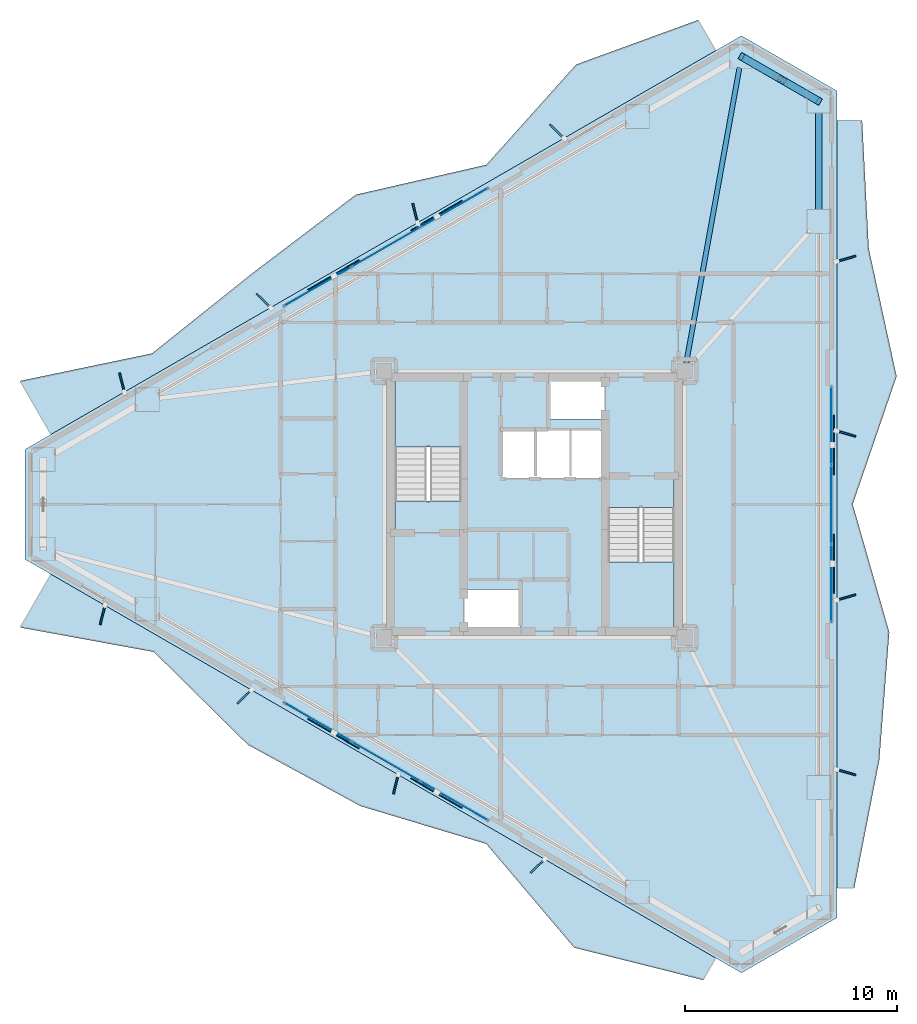
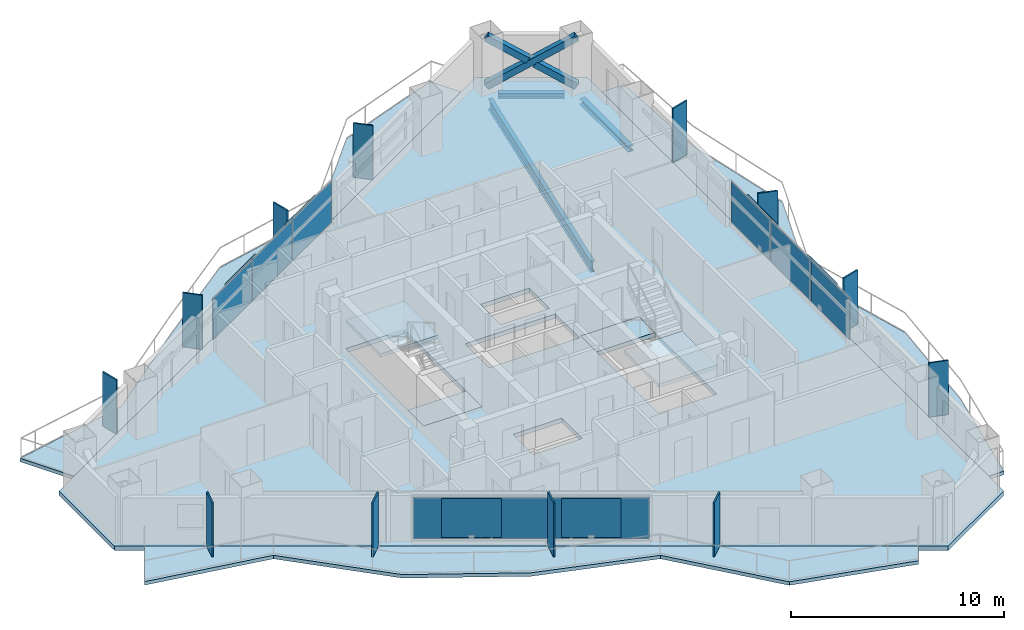
# One storey, part 14 of 23: 27 plates, 8 slabs, 3 beams, 3 members, 5 elements without a shape of their own.
"""IFC4 building model written with IfcOpenShell, lengths in metres."""

from ifc_helpers import new_model, si_unit, direction, frame, origin, origin_2d, place, context, subcontext, project, spatial, polyline, rectangle, hollow_rectangle, i_section, outline, extrude, material, layer, layer_set, material_profile, profile_set, type_object, element, aggregate, save


model = new_model("IFC4")

# Units and contexts
model_context = context("Model", 3, precision=1e-05, world=origin(), true_north=direction((0.0, 1.0)))
body_context = subcontext(model_context, "Body", "Model", "MODEL_VIEW")
ifc_project = project(units=[si_unit("LENGTHUNIT", "METRE"), si_unit("AREAUNIT", "SQUARE_METRE"), si_unit("VOLUMEUNIT", "CUBIC_METRE"), si_unit("PLANEANGLEUNIT", "RADIAN"), si_unit("MASSUNIT", "GRAM", prefix="KILO")], contexts=[model_context])

# Site, building, storey
site_placement = place(None, origin())
site = spatial("IfcSite", under=ifc_project, at=site_placement, CompositionType="ELEMENT")
building_placement = place(site_placement, origin())
building = spatial("IfcBuilding", under=site, at=building_placement, Name="Mersakhor Tower and Convention Hall", CompositionType="ELEMENT")
storey_placement = place(building_placement, frame((0.0, 0.0, 96.60009765625)))
storey = spatial("IfcBuildingStorey", under=building, at=storey_placement, Name="L26", CompositionType="ELEMENT", Elevation=96.60009765625)

# Beams
ifc_material_1 = material(Name="Steel S355", Category="steel")
ifc_material_profile_1 = material_profile(ifc_material_1, i_section(OverallWidth=0.22900390625, OverallDepth=0.6123046875, WebThickness=0.011962890625, FlangeThickness=0.01953125, at=origin_2d()), Name="UB 610x229x125")
ifc_profile_set_1 = profile_set([ifc_material_profile_1], Name="Steel S355")
beam_type_1 = type_object("IfcBeamType", Name="BM-PR-610", PredefinedType="BEAM", material=ifc_profile_set_1)
beam_1_placement = place(storey_placement, frame((36.1630859375, 33.3994140625, -0.55615234375), z_axis=(0.177407335198, 0.984137509405, 0.0), x_axis=(-0.984137509405, 0.177407335198, 0.0)))
element("IfcBeam", 1, at=beam_1_placement, inside=storey, type_object=beam_type_1, Name="L26 Primary Floor Girder FG-2", PredefinedType="BEAM", context=body_context, shape_type="SweptSolid", body=[
    extrude(i_section(OverallWidth=0.22900390625, OverallDepth=0.6123046875, WebThickness=0.011962890625, FlangeThickness=0.01953125, at=origin_2d()), origin(), (0.0, 0.0, 1.0), 14.188232421875),
])
ifc_material_2 = material(Name="Steel S355", Category="steel")
ifc_material_profile_2 = material_profile(ifc_material_2, i_section(OverallWidth=0.30908203125, OverallDepth=0.320556640625, WebThickness=0.013916015625, FlangeThickness=0.021728515625, at=origin_2d()), Name="UC 305x305x137")
ifc_profile_set_2 = profile_set([ifc_material_profile_2], Name="Steel S355")
beam_type_2 = type_object("IfcBeamType", Name="BM-SPD-UC305", PredefinedType="SPANDREL", material=ifc_profile_set_2)
beam_2_placement = place(storey_placement, frame((39.25927734375, 47.631103515625, -0.410400390625), z_axis=(0.866052319632, -0.499953377486, 0.0), x_axis=(0.499953377486, 0.866052319632, 0.0)))
element("IfcBeam", 2, at=beam_2_placement, inside=storey, type_object=beam_type_2, Name="L26 Perimeter Spandrel Beam SPB-04", PredefinedType="SPANDREL", context=body_context, shape_type="SweptSolid", body=[
    extrude(i_section(OverallWidth=0.30908203125, OverallDepth=0.320556640625, WebThickness=0.013916015625, FlangeThickness=0.021728515625, at=origin_2d()), origin(), (0.0, 0.0, 1.0), 3.111572265625),
])
beam_3_placement = place(storey_placement, frame((42.4345703125, 45.242919921875, -0.410400390625), z_axis=(0.0, -1.0, 0.0), x_axis=(1.0, 0.0, 0.0)))
element("IfcBeam", 3, at=beam_3_placement, inside=storey, type_object=beam_type_2, Name="L26 Perimeter Spandrel Beam SPB-05", PredefinedType="SPANDREL", context=body_context, shape_type="SweptSolid", body=[
    extrude(i_section(OverallWidth=0.30908203125, OverallDepth=0.320556640625, WebThickness=0.013916015625, FlangeThickness=0.021728515625, at=origin_2d()), origin(), (0.0, 0.0, 1.0), 4.566162109375),
])

# Members
ifc_material_3 = material(Name="Steel S460", Category="steel")
ifc_material_profile_3 = material_profile(ifc_material_3, hollow_rectangle(XDim=0.35009765625, YDim=0.35009765625, WallThickness=0.02001953125, at=origin_2d()), Name="SHS 350x350x20")
ifc_profile_set_3 = profile_set([ifc_material_profile_3], Name="Steel S460")
member_type = type_object("IfcMemberType", Name="MB-BRC-SHS350", PredefinedType="BRACE", material=ifc_profile_set_3)
member_placement = place(storey_placement, frame((38.77880859375, 47.90869140625, 0.14990234375), z_axis=(0.725633725484, -0.418933054415, 0.545848689986), x_axis=(0.49998946241, 0.866031487579, 0.0)))
element("IfcMember", 4, at=member_placement, inside=storey, type_object=member_type, Name="L26 Chamfer Braced Frame Diagonal CB-1A", PredefinedType="BRACE", context=body_context, shape_type="SweptSolid", body=[
    extrude(hollow_rectangle(XDim=0.35009765625, YDim=0.35009765625, WallThickness=0.02001953125, at=origin_2d()), origin(), (0.0, 0.0, 1.0), 5.0380859375),
])
for number, where, z_axis, x_axis, name in (
    (5, (42.4345703125, 45.798095703125, 0.14990234375), (-0.725684866011, 0.418886985747, 0.545816057307), (-0.499921796684, -0.866070549782, 0.0), "L26 Chamfer Braced Frame Diagonal CB-1B Lower Half"),
    (6, (40.4619140625, 46.93701171875, 1.6337890625), (-0.725635037856, 0.418918980369, 0.545857746783), (-0.499976186015, -0.866039152359, 0.0), "L26 Chamfer Braced Frame Diagonal CB-1B Upper Half"),
):
    element("IfcMember", number, at=place(storey_placement, frame(where, z_axis=z_axis, x_axis=x_axis)), inside=storey, type_object=member_type, Name=name, PredefinedType="BRACE", context=body_context, shape_type="SweptSolid", body=[
        extrude(hollow_rectangle(XDim=0.35009765625, YDim=0.35009765625, WallThickness=0.02001953125, at=origin_2d()), origin(), (0.0, 0.0, 1.0), 2.319580078125),
    ])

# Curtain wall, plates
ifc_material_4 = material(Name="Dark solar low-E aluminium curtain wall", Category="aluminium")
ifc_layer_1 = layer(ifc_material_4, 0.159912109375)
ifc_layer_set_1 = layer_set([ifc_layer_1], Name="Dark solar low-E aluminium curtain wall")
curtain_wall_type = type_object("IfcCurtainWallType", Name="CW-SYS-01", PredefinedType="USERDEFINED", material=ifc_layer_set_1)
curtain_wall_1_placement = place(storey_placement, origin())
curtain_wall_1 = element("IfcCurtainWall", 7, at=curtain_wall_1_placement, inside=storey, type_object=curtain_wall_type, Name="L26 Dark-Glass Curtain Wall F1-B2", ObjectType="CURTAIN WALL", PredefinedType="USERDEFINED")
ifc_material_5 = material(Name="Dark solar double glazing", Category="glass")
ifc_layer_2 = layer(ifc_material_5, 0.02392578125)
ifc_layer_set_2 = layer_set([ifc_layer_2], Name="Dark solar double glazing")
plate_type_1 = type_object("IfcPlateType", Name="CWP-GLZ-24", PredefinedType="CURTAIN_PANEL", material=ifc_layer_set_2)
plate_1_placement = place(storey_placement, frame((18.75732421875, 37.042236328125, 0.259765625), z_axis=(0.0, 0.0, 1.0), x_axis=(0.866026613339, 0.499997904985, 0.0)))
plate_1 = element("IfcPlate", 8, at=plate_1_placement, type_object=plate_type_1, Name="CW-01 panel 1.1", PredefinedType="CURTAIN_PANEL", context=body_context, shape_type="SweptSolid", body=[
    extrude(rectangle(XDim=3.630615234375, YDim=0.02392578125, at=origin_2d()), origin(), (0.0, 0.0, 1.0), 2.35009765625),
])
plate_2_placement = place(storey_placement, frame((21.982666015625, 38.904296875, 0.259765625), z_axis=(0.0, 0.0, 1.0), x_axis=(0.866026613339, 0.499997904985, 0.0)))
plate_2 = element("IfcPlate", 9, at=plate_2_placement, type_object=plate_type_1, Name="CW-01 panel 2.1", PredefinedType="CURTAIN_PANEL", context=body_context, shape_type="SweptSolid", body=[
    extrude(rectangle(XDim=3.668212890625, YDim=0.02392578125, at=origin_2d()), origin(), (0.0, 0.0, 1.0), 2.35009765625),
])
plate_3_placement = place(storey_placement, frame((25.2080078125, 40.7666015625, 0.259765625), z_axis=(0.0, 0.0, 1.0), x_axis=(0.866026613339, 0.499997904985, 0.0)))
plate_3 = element("IfcPlate", 10, at=plate_3_placement, type_object=plate_type_1, Name="CW-01 panel 3.1", PredefinedType="CURTAIN_PANEL", context=body_context, shape_type="SweptSolid", body=[
    extrude(rectangle(XDim=3.630615234375, YDim=0.02392578125, at=origin_2d()), origin(), (0.0, 0.0, 1.0), 2.35009765625),
])
aggregate(curtain_wall_1, [plate_1, plate_2, plate_3])

curtain_wall_2_placement = place(storey_placement, origin())
curtain_wall_2 = element("IfcCurtainWall", 11, at=curtain_wall_2_placement, inside=storey, type_object=curtain_wall_type, Name="L26 Dark-Glass Curtain Wall F2-B2", ObjectType="CURTAIN WALL", PredefinedType="USERDEFINED")
plate_4_placement = place(storey_placement, frame((43.03466796875, 30.474365234375, 0.259765625), z_axis=(0.0, 0.0, 1.0), x_axis=(0.0, -1.0, 0.0)))
plate_4 = element("IfcPlate", 12, at=plate_4_placement, type_object=plate_type_1, Name="CW-01 panel 1.1", PredefinedType="CURTAIN_PANEL", context=body_context, shape_type="SweptSolid", body=[
    extrude(rectangle(XDim=3.630615234375, YDim=0.02392578125, at=origin_2d()), origin(), (0.0, 0.0, 1.0), 2.35009765625),
])
plate_5_placement = place(storey_placement, frame((43.03466796875, 26.75, 0.259765625), z_axis=(0.0, 0.0, 1.0), x_axis=(0.0, -1.0, 0.0)))
plate_5 = element("IfcPlate", 13, at=plate_5_placement, type_object=plate_type_1, Name="CW-01 panel 2.1", PredefinedType="CURTAIN_PANEL", context=body_context, shape_type="SweptSolid", body=[
    extrude(rectangle(XDim=3.668212890625, YDim=0.02392578125, at=origin_2d()), origin(), (0.0, 0.0, 1.0), 2.35009765625),
])
plate_6_placement = place(storey_placement, frame((43.03466796875, 23.025634765625, 0.259765625), z_axis=(0.0, 0.0, 1.0), x_axis=(0.0, -1.0, 0.0)))
plate_6 = element("IfcPlate", 14, at=plate_6_placement, type_object=plate_type_1, Name="CW-01 panel 3.1", PredefinedType="CURTAIN_PANEL", context=body_context, shape_type="SweptSolid", body=[
    extrude(rectangle(XDim=3.630615234375, YDim=0.02392578125, at=origin_2d()), origin(), (0.0, 0.0, 1.0), 2.35009765625),
])
aggregate(curtain_wall_2, [plate_4, plate_5, plate_6])

curtain_wall_3_placement = place(storey_placement, origin())
curtain_wall_3 = element("IfcCurtainWall", 15, at=curtain_wall_3_placement, inside=storey, type_object=curtain_wall_type, Name="L26 Dark-Glass Curtain Wall F3-B2", ObjectType="CURTAIN WALL", PredefinedType="USERDEFINED")
plate_7_placement = place(storey_placement, frame((25.2080078125, 12.7333984375, 0.259765625), z_axis=(0.0, 0.0, 1.0), x_axis=(-0.866026613339, 0.499997904985, 0.0)))
plate_7 = element("IfcPlate", 16, at=plate_7_placement, type_object=plate_type_1, Name="CW-01 panel 1.1", PredefinedType="CURTAIN_PANEL", context=body_context, shape_type="SweptSolid", body=[
    extrude(rectangle(XDim=3.630615234375, YDim=0.02392578125, at=origin_2d()), origin(), (0.0, 0.0, 1.0), 2.35009765625),
])
plate_8_placement = place(storey_placement, frame((21.982666015625, 14.595703125, 0.259765625), z_axis=(0.0, 0.0, 1.0), x_axis=(-0.866026613339, 0.499997904985, 0.0)))
plate_8 = element("IfcPlate", 17, at=plate_8_placement, type_object=plate_type_1, Name="CW-01 panel 2.1", PredefinedType="CURTAIN_PANEL", context=body_context, shape_type="SweptSolid", body=[
    extrude(rectangle(XDim=3.668212890625, YDim=0.02392578125, at=origin_2d()), origin(), (0.0, 0.0, 1.0), 2.35009765625),
])
plate_9_placement = place(storey_placement, frame((18.75732421875, 16.457763671875, 0.259765625), z_axis=(0.0, 0.0, 1.0), x_axis=(-0.866026613339, 0.499997904985, 0.0)))
plate_9 = element("IfcPlate", 18, at=plate_9_placement, type_object=plate_type_1, Name="CW-01 panel 3.1", PredefinedType="CURTAIN_PANEL", context=body_context, shape_type="SweptSolid", body=[
    extrude(rectangle(XDim=3.630615234375, YDim=0.02392578125, at=origin_2d()), origin(), (0.0, 0.0, 1.0), 2.35009765625),
])
aggregate(curtain_wall_3, [plate_7, plate_8, plate_9])

# Plates
ifc_material_6 = material(Name="Ceramic-clad aluminium Zone 2 emerald-teal", Category="aluminium")
ifc_material_7 = material(Name="Ceramic-clad aluminium Zone 1 cobalt-slate", Category="masonry")
ifc_layer_3 = layer(ifc_material_7, 0.080078125)
ifc_layer_set_3 = layer_set([ifc_layer_3], Name="Ceramic-clad aluminium Zone 1 cobalt-slate")
plate_type_2 = type_object("IfcPlateType", Name="PL-FIN-80", PredefinedType="USERDEFINED", material=ifc_layer_set_3)
for number, where, z_axis, x_axis, name in (
    (19, (9.50830078125, 32.4951171875, -0.000244140625), (0.0, 0.0, 1.0), (-0.2419218956, 0.970295726276, 0.0), "L26 Zone 2 Coloured Brise-Soleil Fin F1-1"),
    (20, (16.209716796875, 36.364013671875, -0.000244140625), (0.0, 0.0, 1.0), (-0.719339800339, 0.694658370459, 0.0), "L26 Zone 2 Coloured Brise-Soleil Fin F1-2"),
    (21, (23.36474609375, 40.4951171875, -0.000244140625), (0.0, 0.0, 1.0), (-0.2419218956, 0.970295726276, 0.0), "L26 Zone 2 Coloured Brise-Soleil Fin F1-3"),
    (22, (30.066162109375, 44.364013671875, -0.000244140625), (0.0, 0.0, 1.0), (-0.719339800339, 0.694658370459, 0.0), "L26 Zone 2 Coloured Brise-Soleil Fin F1-4"),
    (23, (43.72119140625, 38.35302734375, -0.000244140625), (0.0, 0.0, 1.0), (0.961261695938, 0.275637355817, 0.0), "L26 Zone 2 Coloured Brise-Soleil Fin F2-1"),
    (24, (43.72119140625, 30.091064453125, -0.000244140625), (0.0, 0.0, 1.0), (0.961261695938, -0.275637355817, 0.0), "L26 Zone 2 Coloured Brise-Soleil Fin F2-2"),
    (25, (43.72119140625, 22.35302734375, -0.000244140625), (0.0, 0.0, 1.0), (0.961261695938, 0.275637355817, 0.0), "L26 Zone 2 Coloured Brise-Soleil Fin F2-3"),
    (26, (43.72119140625, 14.091064453125, -0.000244140625), (0.0, 0.0, 1.0), (0.961261695938, -0.275637355817, 0.0), "L26 Zone 2 Coloured Brise-Soleil Fin F2-4"),
    (27, (29.151611328125, 9.663818359375, -0.000244140625), (0.0, 0.0, 1.0), (-0.719339800339, -0.694658370459, 0.0), "L26 Zone 2 Coloured Brise-Soleil Fin F3-1"),
    (28, (22.4501953125, 13.532958984375, -0.000244140625), (0.0, 0.0, 1.0), (-0.2419218956, -0.970295726276, 0.0), "L26 Zone 2 Coloured Brise-Soleil Fin F3-2"),
    (29, (15.29541015625, 17.663818359375, -0.000244140625), (0.0, 0.0, 1.0), (-0.719339800339, -0.694658370459, 0.0), "L26 Zone 2 Coloured Brise-Soleil Fin F3-3"),
    (30, (8.59375, 21.532958984375, -0.000244140625), (0.0, 0.0, 1.0), (-0.2419218956, -0.970295726276, 0.0), "L26 Zone 2 Coloured Brise-Soleil Fin F3-4"),
):
    element("IfcPlate", number, at=place(storey_placement, frame(where, z_axis=z_axis, x_axis=x_axis)), inside=storey, type_object=plate_type_2, material=ifc_material_6, Name=name, ObjectType="FIN", PredefinedType="USERDEFINED", context=body_context, shape_type="SweptSolid", body=[
        extrude(rectangle(XDim=0.949951171875, YDim=0.080078125, at=origin_2d()), origin(), (0.0, 0.0, 1.0), 3.10009765625),
    ])
ifc_material_8 = material(Name="Perforated ceramic cobogo solar screen", Category="aluminium")
ifc_layer_4 = layer(ifc_material_8, 0.048095703125)
ifc_layer_set_4 = layer_set([ifc_layer_4], Name="Perforated ceramic cobogo solar screen")
plate_type_3 = type_object("IfcPlateType", Name="PL-SCR-48", PredefinedType="USERDEFINED", material=ifc_layer_set_4)
for number, where, z_axis, x_axis, name in (
    (31, (19.50439453125, 37.58203125, 0.39990234375), (0.0, 0.0, 1.0), (0.866025403784, 0.5, 0.0), "L26 Perforated Ceramic Solar Screen F1-1"),
    (32, (24.366943359375, 40.389404296875, 0.39990234375), (0.0, 0.0, 1.0), (0.866025403784, 0.5, 0.0), "L26 Perforated Ceramic Solar Screen F1-2"),
    (33, (43.128662109375, 29.557373046875, 0.39990234375), (0.0, 0.0, 1.0), (0.0, -1.0, 0.0), "L26 Perforated Ceramic Solar Screen F2-1"),
    (34, (43.128662109375, 23.942626953125, 0.39990234375), (0.0, 0.0, 1.0), (0.0, -1.0, 0.0), "L26 Perforated Ceramic Solar Screen F2-2"),
    (35, (24.366943359375, 13.110595703125, 0.39990234375), (0.0, 0.0, 1.0), (-0.866025403784, 0.5, 0.0), "L26 Perforated Ceramic Solar Screen F3-1"),
    (36, (19.50439453125, 15.91796875, 0.39990234375), (0.0, 0.0, 1.0), (-0.866025403784, 0.5, 0.0), "L26 Perforated Ceramic Solar Screen F3-2"),
):
    element("IfcPlate", number, at=place(storey_placement, frame(where, z_axis=z_axis, x_axis=x_axis)), inside=storey, type_object=plate_type_3, Name=name, ObjectType="SCREEN", PredefinedType="USERDEFINED", context=body_context, shape_type="SweptSolid", body=[
        extrude(rectangle(XDim=2.800048828125, YDim=0.048095703125, at=origin_2d()), origin(), (0.0, 0.0, 1.0), 2.219970703125),
    ])

# Slabs
ifc_material_9 = material(Name="Concrete C45/55", Category="concrete")
ifc_layer_5 = layer(ifc_material_9, 0.199951171875)
ifc_layer_set_5 = layer_set([ifc_layer_5], Name="Concrete C45/55")
slab_type_1 = type_object("IfcSlabType", Name="SL-BAL-200", PredefinedType="FLOOR", material=ifc_layer_set_5)
slab_1_placement = place(storey_placement, frame((0.0, 0.0, -0.2001953125)))
element("IfcSlab", 37, at=slab_1_placement, inside=storey, type_object=slab_type_1, Name="L26 Sinusoidal Balcony Slab Face 1", PredefinedType="FLOOR", context=body_context, shape_type="SweptSolid", body=[
    extrude(outline(polyline([(6.149169921875, 30.051513671875), (37.56640625, 48.190185546875), (36.73193359375, 49.63525390625), (30.96533203125, 47.531005859375), (26.718994140625, 42.79345703125), (20.5537109375, 41.37939453125), (15.69970703125, 37.694580078125), (10.9208984375, 33.879150390625), (4.689208984375, 32.580322265625), (6.149169921875, 30.051513671875)])), origin(), (0.0, 0.0, 1.0), 0.2001953125),
])
slab_2_placement = place(storey_placement, frame((0.0, 0.0, -0.2001953125)))
element("IfcSlab", 38, at=slab_2_placement, inside=storey, type_object=slab_type_1, Name="L26 Sinusoidal Balcony Slab Face 2", PredefinedType="FLOOR", context=body_context, shape_type="SweptSolid", body=[
    extrude(outline(polyline([(43.28466796875, 44.888671875), (43.28466796875, 8.611328125), (44.108642578125, 8.611328125), (45.29052734375, 14.657470703125), (45.763916015625, 20.703857421875), (44.03466796875, 26.75), (46.10986328125, 32.796142578125), (44.792724609375, 38.842529296875), (44.4794921875, 44.888671875), (43.28466796875, 44.888671875)])), origin(), (0.0, 0.0, 1.0), 0.2001953125),
])
slab_3_placement = place(storey_placement, frame((0.0, 0.0, -0.2001953125)))
element("IfcSlab", 39, at=slab_3_placement, inside=storey, type_object=slab_type_1, Name="L26 Sinusoidal Balcony Slab Face 3", PredefinedType="FLOOR", context=body_context, shape_type="SweptSolid", body=[
    extrude(outline(polyline([(37.56640625, 5.309814453125), (6.149169921875, 23.448486328125), (4.6953125, 20.930419921875), (11.01025390625, 19.77587890625), (15.457763671875, 15.38671875), (20.76953125, 12.494384765625), (26.718994140625, 10.70654296875), (30.8701171875, 5.80419921875), (36.96875, 4.27490234375), (37.56640625, 5.309814453125)])), origin(), (0.0, 0.0, 1.0), 0.2001953125),
])
ifc_material_10 = material(Name="Concrete C40/50", Category="concrete")
ifc_layer_6 = layer(ifc_material_10, 0.25)
ifc_layer_set_6 = layer_set([ifc_layer_6], Name="Concrete C40/50")
slab_type_2 = type_object("IfcSlabType", Name="SL-FLR-250", PredefinedType="FLOOR", material=ifc_layer_set_6)
slab_4_placement = place(storey_placement, frame((0.0, 0.0, -0.25)))
element("IfcSlab", 40, at=slab_4_placement, inside=storey, type_object=slab_type_2, Name="L26 ST-1 Structural Stair Floor Landing", PredefinedType="LANDING", context=body_context, shape_type="SweptSolid", body=[
    extrude(outline(polyline([(25.550048828125, 25.39990234375), (25.550048828125, 26.89990234375), (22.39990234375, 26.89990234375), (22.39990234375, 25.39990234375), (25.550048828125, 25.39990234375)])), origin(), (0.0, 0.0, 1.0), 0.25),
])
slab_5_placement = place(storey_placement, frame((0.0, 0.0, -0.25)))
element("IfcSlab", 41, at=slab_5_placement, inside=storey, type_object=slab_type_2, Name="L26 ST-2 Structural Stair Floor Landing", PredefinedType="LANDING", context=body_context, shape_type="SweptSolid", body=[
    extrude(outline(polyline([(32.449951171875, 28.10009765625), (32.449951171875, 26.60009765625), (35.60009765625, 26.60009765625), (35.60009765625, 28.10009765625), (32.449951171875, 28.10009765625)])), origin(), (0.0, 0.0, 1.0), 0.25),
])
slab_6_placement = place(storey_placement, frame((0.0, 0.0, -0.25)))
element("IfcSlab", 42, at=slab_6_placement, inside=storey, type_object=slab_type_2, Name="Tower L26 Structural Floor Slab", PredefinedType="FLOOR", context=body_context, shape_type="SweptSolid", body=[
    extrude(outline(polyline([(4.936767578125, 29.3515625), (38.77880859375, 48.89013671875), (43.28466796875, 46.288818359375), (43.28466796875, 7.211181640625), (38.77880859375, 4.60986328125), (4.936767578125, 24.1484375), (4.936767578125, 29.3515625)]), holes=[polyline([(25.550048828125, 25.39990234375), (25.550048828125, 32.699951171875), (22.39990234375, 32.699951171875), (22.39990234375, 25.39990234375), (25.550048828125, 25.39990234375)]), polyline([(32.449951171875, 28.10009765625), (32.449951171875, 20.800048828125), (35.60009765625, 20.800048828125), (35.60009765625, 28.10009765625), (32.449951171875, 28.10009765625)]), polyline([(25.679931640625, 20.820068359375), (25.679931640625, 22.719970703125), (28.320068359375, 22.719970703125), (28.320068359375, 20.820068359375), (25.679931640625, 20.820068359375)]), polyline([(29.679931640625, 30.780029296875), (29.679931640625, 32.679931640625), (32.320068359375, 32.679931640625), (32.320068359375, 30.780029296875), (29.679931640625, 30.780029296875)]), polyline([(27.429931640625, 28.0), (27.429931640625, 30.25), (32.320068359375, 30.25), (32.320068359375, 28.0), (27.429931640625, 28.0)])]), origin(), (0.0, 0.0, 1.0), 0.25),
])

# Stair, slab
ifc_material_11 = material(Name="Concrete C45/55", Category="concrete")
stair_type = type_object("IfcStairType", Name="ST-TWR-20R", PredefinedType="HALF_TURN_STAIR", material=ifc_material_11)
stair_1_placement = place(storey_placement, origin())
stair_1 = element("IfcStair", 43, at=stair_1_placement, inside=storey, type_object=stair_type, Name="L26 Tower Protected Exit Stair ST-1", PredefinedType="HALF_TURN_STAIR")
ifc_material_12 = material(Name="Concrete C45/55", Category="concrete")
ifc_layer_7 = layer(ifc_material_12, 0.199951171875)
ifc_layer_set_7 = layer_set([ifc_layer_7], Name="Concrete C45/55")
slab_type_3 = type_object("IfcSlabType", Name="SL-LAND-200", PredefinedType="LANDING", material=ifc_layer_set_7)
slab_7_placement = place(storey_placement, frame((0.0, 0.0, 1.449951171875)))
slab_7 = element("IfcSlab", 44, at=slab_7_placement, type_object=slab_type_3, Name="ST-1 landing 1", PredefinedType="LANDING", context=body_context, shape_type="SweptSolid", body=[
    extrude(outline(polyline([(25.550048828125, 29.465087890625), (25.550048828125, 32.699951171875), (22.39990234375, 32.699951171875), (22.39990234375, 29.465087890625), (25.550048828125, 29.465087890625)])), origin(), (0.0, 0.0, 1.0), 0.199951171875),
])
aggregate(stair_1, [slab_7])

stair_2_placement = place(storey_placement, origin())
stair_2 = element("IfcStair", 45, at=stair_2_placement, inside=storey, type_object=stair_type, Name="L26 Tower Protected Exit Stair ST-2", PredefinedType="HALF_TURN_STAIR")
slab_8_placement = place(storey_placement, frame((0.0, 0.0, 1.449951171875)))
slab_8 = element("IfcSlab", 46, at=slab_8_placement, type_object=slab_type_3, Name="ST-2 landing 1", PredefinedType="LANDING", context=body_context, shape_type="SweptSolid", body=[
    extrude(outline(polyline([(32.449951171875, 24.034912109375), (32.449951171875, 20.800048828125), (35.60009765625, 20.800048828125), (35.60009765625, 24.034912109375), (32.449951171875, 24.034912109375)])), origin(), (0.0, 0.0, 1.0), 0.199951171875),
])
aggregate(stair_2, [slab_8])

save(model, "model.ifc")
